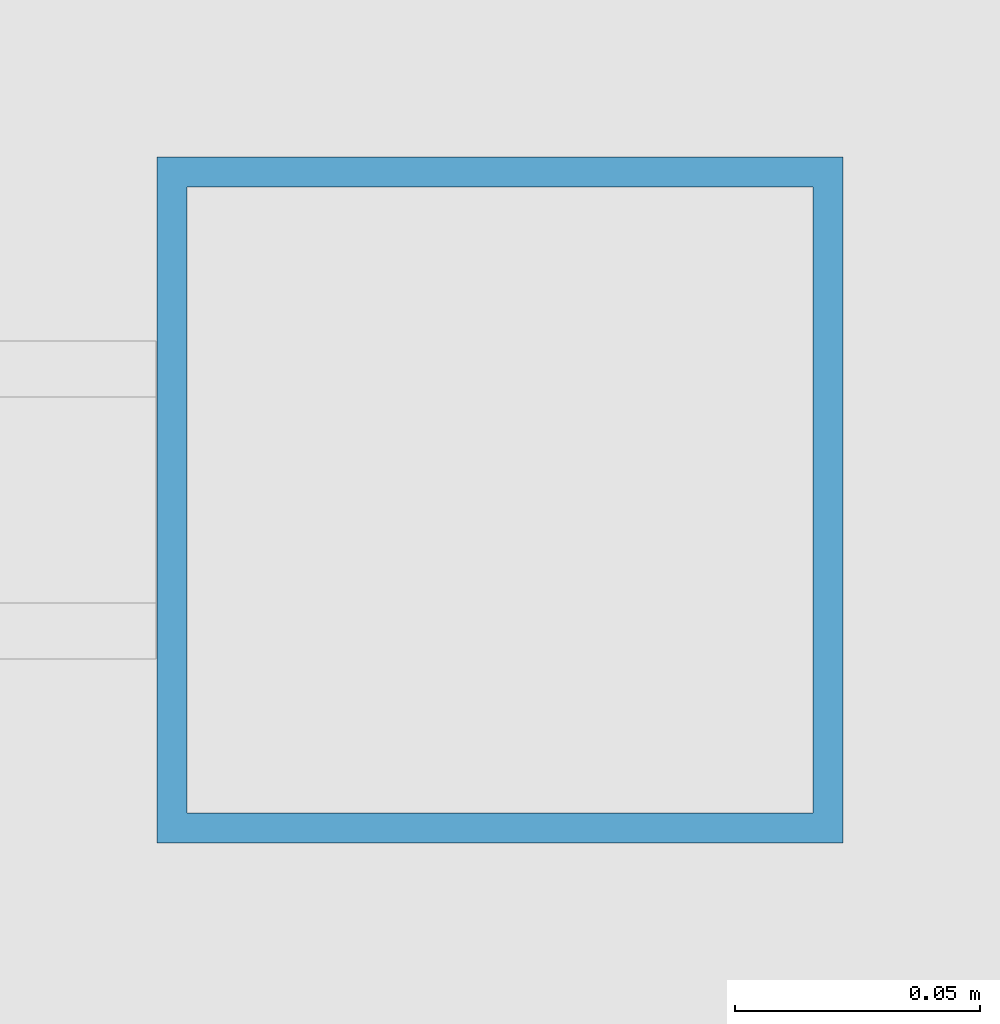
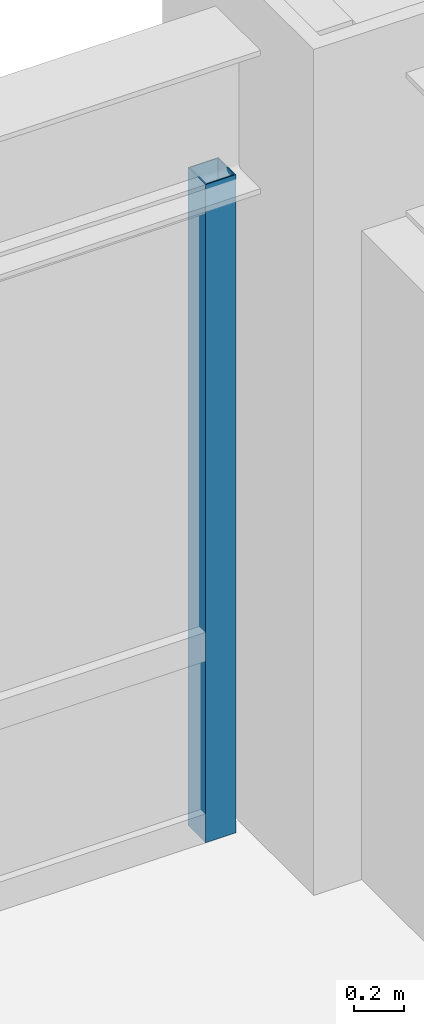
# One storey, part 21 of 28: 1 member, 1 element without a shape of its own.
"""IFC4 building model written with IfcOpenShell, lengths in metres."""

from ifc_helpers import new_model, si_unit, direction, frame, origin, origin_2d, place, context, subcontext, project, spatial, hollow_rectangle, extrude, source, transform, mapped, material, material_profile, profile_set, type_object, element, aggregate, save


model = new_model("IFC4")

# Units and contexts
model_context = context("Model", 3, precision=1e-05, world=origin(), true_north=direction((0.0, 1.0)))
body_context = subcontext(model_context, "Body", "Model", "MODEL_VIEW")
ifc_project = project(units=[si_unit("LENGTHUNIT", "METRE"), si_unit("AREAUNIT", "SQUARE_METRE"), si_unit("VOLUMEUNIT", "CUBIC_METRE"), si_unit("PLANEANGLEUNIT", "RADIAN"), si_unit("MASSUNIT", "GRAM", prefix="KILO")], contexts=[model_context])

# Site, building, storey
site_placement = place(None, origin())
site = spatial("IfcSite", under=ifc_project, at=site_placement, CompositionType="ELEMENT")
building_placement = place(site_placement, origin())
building = spatial("IfcBuilding", under=site, at=building_placement, Name="Khorayat Bourse Tower", CompositionType="ELEMENT")
storey_placement = place(building_placement, frame((0.0, 0.0, 124.199951171875)))
storey = spatial("IfcBuildingStorey", under=building, at=storey_placement, Name="L28", CompositionType="ELEMENT", Elevation=124.199951171875)

# Curtain wall, member
ifc_material = material(Name="Aluminium EN AW-6063 T6", Category="aluminium")
curtain_wall_type = type_object("IfcCurtainWallType", Name="CW-SYS-02", PredefinedType="NOTDEFINED", material=ifc_material)
curtain_wall_placement = place(storey_placement, origin())
curtain_wall = element("IfcCurtainWall", 1, at=curtain_wall_placement, inside=storey, type_object=curtain_wall_type, Name="L28 Curtain Wall CW-L28-N1", PredefinedType="NOTDEFINED")
ifc_material_profile = material_profile(ifc_material, hollow_rectangle(XDim=0.139892578125, YDim=0.139892578125, WallThickness=0.006103515625, at=origin_2d()), Name="ALU 140x140x6")
ifc_profile_set = profile_set([ifc_material_profile], Name="Aluminium EN AW-6063 T6")
member_type = type_object("IfcMemberType", Name="CWM-VERT-140", PredefinedType="MULLION", material=ifc_profile_set)
shared_shape = source(origin(), body_context, "Body", "SweptSolid", [
    extrude(hollow_rectangle(XDim=0.139892578125, YDim=0.139892578125, WallThickness=0.006103515625, at=origin_2d()), origin(), (0.0, 0.0, 1.0), 3.18994140625),
])
member_placement = place(storey_placement, frame((27.280029296875, 32.0, 0.0), z_axis=(0.0, 0.0, 1.0), x_axis=(0.0, 1.0, 0.0)))
member = element("IfcMember", 2, at=member_placement, type_object=member_type, Name="CW-L28-N1 Vertical Mullion 3", PredefinedType="MULLION", context=body_context, shape_type="MappedRepresentation", body=[
    mapped(shared_shape, transform((0.0, 0.0, 0.0), scale=1.0)),
])
aggregate(curtain_wall, [member])

save(model, "model.ifc")
